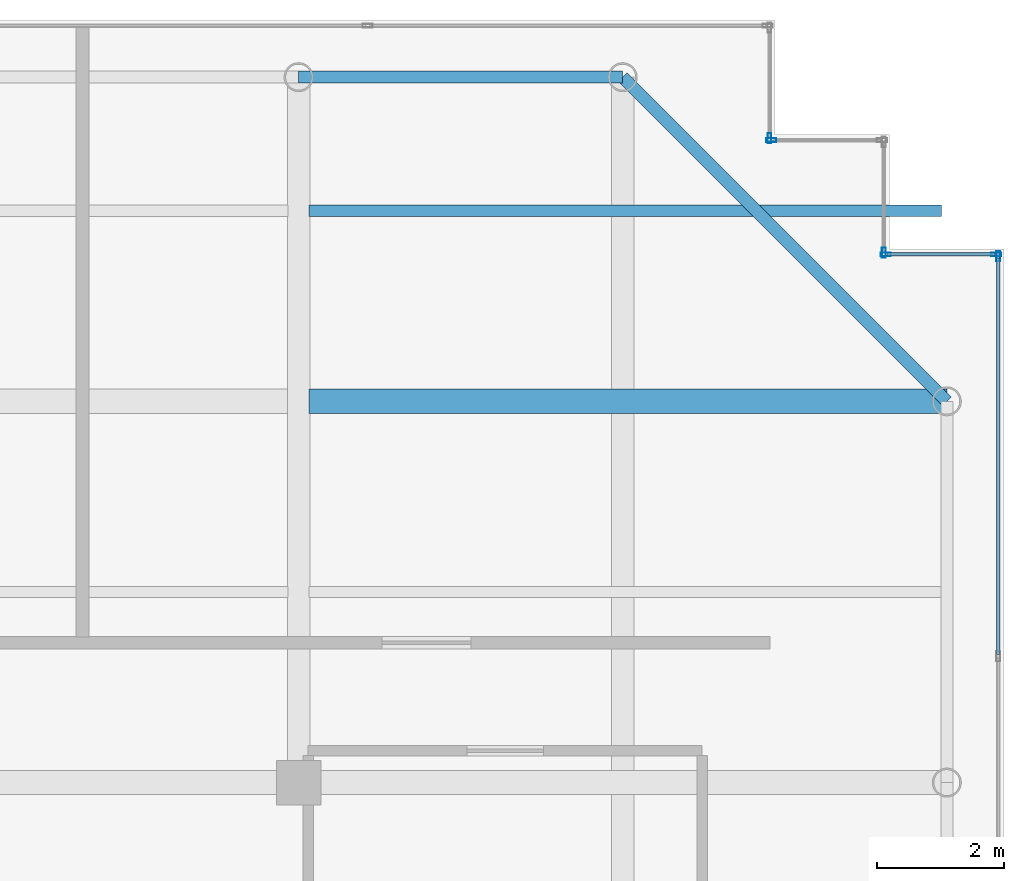
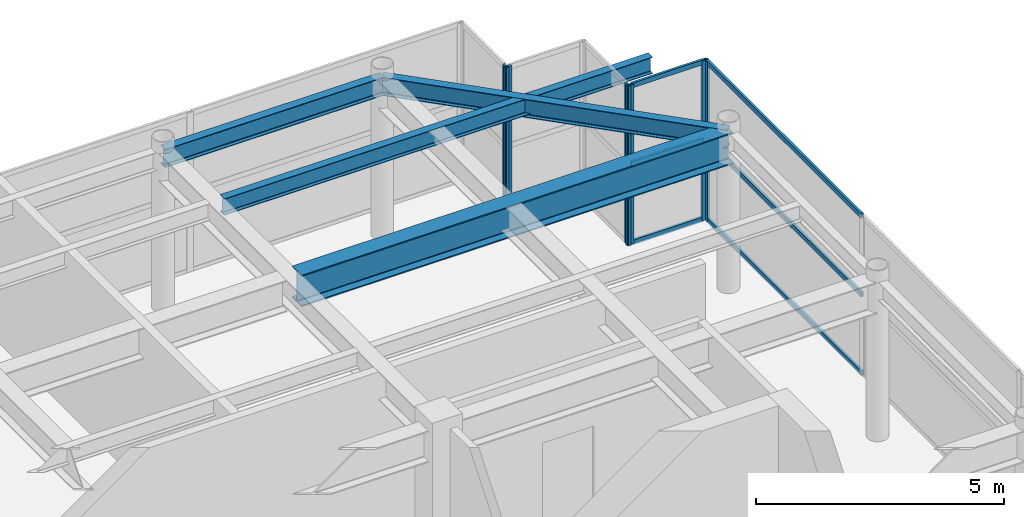
# One storey, part 27 of 32: 12 members, 4 beams, 5 elements without a shape of their own.
"""IFC4 building model written with IfcOpenShell, lengths in metres."""

import ifcopenshell
import ifcopenshell.guid

model = None  # the IFC model being written
_history = None  # IfcOwnerHistory: only IFC2X3 demands one
_inside = {}  # id of a spatial element -> (the spatial element, [elements in it])
_under = {}  # id of a project, library or spatial element -> (it, [spatial elements below it])
_declared = {}  # id of a project -> (the project, [libraries it declares])
_typed = {}  # id of a type object -> (the type object, [elements of that type])
_made_of = {}  # id of a material, layer set ... -> (it, [elements and type objects made of it])


def new_model(schema):
    """Start an empty IFC model of exactly this schema.

    Asked for "IFC4X3", IfcOpenShell would pick the latest addendum, in which some entities
    have other attributes; the version numbers below select the first issue.
    IFC2X3 requires an IfcOwnerHistory on every rooted entity: one is made here for all.
    """
    global model, _history
    if schema == "IFC4X3":
        model = ifcopenshell.file(schema_version=(4, 3, 0, 0))
    else:
        model = ifcopenshell.file(schema=schema)
    _inside.clear()
    _under.clear()
    _declared.clear()
    _typed.clear()
    _made_of.clear()
    _history = None
    if model.schema == "IFC2X3":
        org = make("IfcOrganization", Name="unknown")
        user = make(
            "IfcPersonAndOrganization",
            ThePerson=make("IfcPerson", FamilyName="unknown"),
            TheOrganization=org,
        )
        app = make(
            "IfcApplication",
            ApplicationDeveloper=org,
            Version="unknown",
            ApplicationFullName="unknown",
            ApplicationIdentifier="unknown",
        )
        _history = make(
            "IfcOwnerHistory",
            OwningUser=user,
            OwningApplication=app,
            ChangeAction="ADDED",
            CreationDate=0,
        )
    return model


def make(cls, **values):
    """One entity of the class cls with the attributes given. An attribute that is None is left unset."""
    return model.create_entity(
        cls, **{name: value for name, value in values.items() if value is not None}
    )


def rooted(cls, **values):
    """An entity with a GlobalId (a new one), such as an element, a storey or a relation."""
    return make(cls, GlobalId=ifcopenshell.guid.new(), OwnerHistory=_history, **values)


def si_unit(unit_type, name, prefix=None):
    """IfcSIUnit, for example si_unit("LENGTHUNIT", "METRE", prefix="MILLI")."""
    return make("IfcSIUnit", UnitType=unit_type, Prefix=prefix, Name=name)


def assignment(units):
    """IfcUnitAssignment: the units of a project."""
    return None if units is None else make("IfcUnitAssignment", Units=units)


def point(xyz):
    """IfcCartesianPoint."""
    return None if xyz is None else make("IfcCartesianPoint", Coordinates=xyz)


def direction(xyz):
    """IfcDirection."""
    return None if xyz is None else make("IfcDirection", DirectionRatios=xyz)


def frame(location, z_axis=None, x_axis=None):
    """IfcAxis2Placement3D, a coordinate frame: its origin and axes. An axis left out is left unset."""
    return make(
        "IfcAxis2Placement3D",
        Location=point(location),
        Axis=direction(z_axis),
        RefDirection=direction(x_axis),
    )


def frame_2d(location, x_axis=None):
    """IfcAxis2Placement2D, a coordinate frame in the plane: its origin and x axis."""
    return make(
        "IfcAxis2Placement2D", Location=point(location), RefDirection=direction(x_axis)
    )


def origin():
    """The frame at (0, 0, 0) with its axes left unset."""
    return frame((0.0, 0.0, 0.0))


def origin_2d():
    """The frame at (0, 0) in the plane with its x axis left unset."""
    return frame_2d((0.0, 0.0))


def place(relative_to, where):
    """IfcLocalPlacement: puts the frame where relative to a parent placement (None: the world)."""
    return make(
        "IfcLocalPlacement", PlacementRelTo=relative_to, RelativePlacement=where
    )


def context(
    kind, dimensions, precision=None, world=None, true_north=None, identifier=None
):
    """IfcGeometricRepresentationContext, for example the 3D "Model" context."""
    return make(
        "IfcGeometricRepresentationContext",
        ContextIdentifier=identifier,
        ContextType=kind,
        CoordinateSpaceDimension=dimensions,
        Precision=precision,
        WorldCoordinateSystem=world,
        TrueNorth=true_north,
    )


def subcontext(parent, identifier, kind, view, scale=None):
    """IfcGeometricRepresentationSubContext, for example "Body" below "Model"."""
    return make(
        "IfcGeometricRepresentationSubContext",
        ContextIdentifier=identifier,
        ContextType=kind,
        ParentContext=parent,
        TargetScale=scale,
        TargetView=view,
    )


def project(units=None, contexts=None):
    """IfcProject with its units and contexts."""
    return rooted(
        "IfcProject",
        Name="project",
        RepresentationContexts=contexts,
        UnitsInContext=assignment(units),
    )


def spatial(cls, under=None, at=None, **own):
    """A site, building, storey or space (cls), placed at a placement, below another one or the project."""
    s = rooted(cls, ObjectPlacement=at, **own)
    if under is not None:
        _under.setdefault(under.id(), (under, []))[1].append(s)
    return s


def profile(cls, at=None, kind="AREA", **sizes):
    """A parametric profile (cls). Its sizes go by their IFC names, for example OverallWidth=200.0."""
    return make(cls, ProfileType=kind, Position=at, **sizes)


def hollow_rectangle(**sizes):
    """IfcRectangleHollowProfileDef."""
    return profile("IfcRectangleHollowProfileDef", **sizes)


def i_section(**sizes):
    """IfcIShapeProfileDef."""
    return profile("IfcIShapeProfileDef", **sizes)


def extrude(swept, where, along, depth):
    """IfcExtrudedAreaSolid: the profile swept, set in the frame where, extruded along a direction by depth."""
    return make(
        "IfcExtrudedAreaSolid",
        SweptArea=swept,
        Position=where,
        ExtrudedDirection=direction(along),
        Depth=depth,
    )


def shape(context_of_items, identifier, shape_type, items):
    """IfcShapeRepresentation: the items that make up one representation, for example the "Body"."""
    return make(
        "IfcShapeRepresentation",
        ContextOfItems=context_of_items,
        RepresentationIdentifier=identifier,
        RepresentationType=shape_type,
        Items=items,
    )


def source(mapping_origin, context_of_items, identifier, shape_type, items):
    """IfcRepresentationMap: a shape defined once, which mapped items show again and again."""
    return make(
        "IfcRepresentationMap",
        MappingOrigin=mapping_origin,
        MappedRepresentation=shape(context_of_items, identifier, shape_type, items),
    )


def transform(
    local_origin,
    x_axis=None,
    y_axis=None,
    z_axis=None,
    scale=None,
    scale2=None,
    scale3=None,
    uniform=True,
):
    """IfcCartesianTransformationOperator3D, or its non-uniform kind. x_axis, y_axis, z_axis: its Axis1, 2, 3."""
    if uniform:
        return make(
            "IfcCartesianTransformationOperator3D",
            Axis1=direction(x_axis),
            Axis2=direction(y_axis),
            LocalOrigin=point(local_origin),
            Scale=scale,
            Axis3=direction(z_axis),
        )
    return make(
        "IfcCartesianTransformationOperator3DnonUniform",
        Axis1=direction(x_axis),
        Axis2=direction(y_axis),
        LocalOrigin=point(local_origin),
        Scale=scale,
        Axis3=direction(z_axis),
        Scale2=scale2,
        Scale3=scale3,
    )


def mapped(mapping_source, mapping_target):
    """IfcMappedItem: shows the shape of a source again, moved by a transform."""
    return make(
        "IfcMappedItem", MappingSource=mapping_source, MappingTarget=mapping_target
    )


def material(Name=None, Category=None):
    """IfcMaterial."""
    return make("IfcMaterial", Name=Name, Category=Category)


def layer(
    of_material, thickness, ventilated=None, Name=None, Category=None, Priority=None
):
    """IfcMaterialLayer: one layer of a wall or slab, of a material (None: an air gap)."""
    return make(
        "IfcMaterialLayer",
        Material=of_material,
        LayerThickness=thickness,
        IsVentilated=ventilated,
        Name=Name,
        Category=Category,
        Priority=Priority,
    )


def layer_set(layers, Name=None):
    """IfcMaterialLayerSet."""
    return make("IfcMaterialLayerSet", MaterialLayers=layers, LayerSetName=Name)


def material_profile(
    of_material, cross_section, Name=None, Category=None, Priority=None
):
    """IfcMaterialProfile: a cross section and its material."""
    return make(
        "IfcMaterialProfile",
        Name=Name,
        Material=of_material,
        Profile=cross_section,
        Priority=Priority,
        Category=Category,
    )


def profile_set(profiles, Name=None, composite=None):
    """IfcMaterialProfileSet."""
    return make(
        "IfcMaterialProfileSet",
        Name=Name,
        MaterialProfiles=profiles,
        CompositeProfile=composite,
    )


def made_of(thing, what):
    """Note that an element or type object is made of a material, layer set ...; save() writes the relation."""
    if what is not None:
        _made_of.setdefault(what.id(), (what, []))[1].append(thing)
    return thing


def type_object(cls, material=None, **own):
    """A type object (cls), such as IfcWallType, which elements share."""
    return made_of(rooted(cls, **own), material)


def element(
    cls,
    number,
    at=None,
    inside=None,
    cuts=None,
    type_object=None,
    material=None,
    context=None,
    identifier="Body",
    shape_type=None,
    held_by="IfcProductDefinitionShape",
    body=None,
    shapes=None,
    **own,
):
    """One element of the class cls, such as IfcWall. Its Tag is "e" and its number.

    at: its placement. inside: the storey or other place that contains it. cuts: it is an
    opening in that element (IfcRelVoidsElement). A single representation is given by context,
    identifier, shape_type and body (its items); several are given by shapes. held_by: the class
    of the entity that holds the representations. save() writes the other relations.
    """
    e = rooted(cls, Tag="e%d" % number, ObjectPlacement=at, **own)
    if body is not None:
        shapes = [shape(context, identifier, shape_type, body)]
    if shapes is not None:
        e.Representation = make(held_by, Representations=shapes)
    if inside is not None:
        _inside.setdefault(inside.id(), (inside, []))[1].append(e)
    if cuts is not None:
        rooted(
            "IfcRelVoidsElement", RelatingBuildingElement=cuts, RelatedOpeningElement=e
        )
    if type_object is not None:
        _typed.setdefault(type_object.id(), (type_object, []))[1].append(e)
    return made_of(e, material)


def aggregate(whole, parts):
    """IfcRelAggregates: a whole, such as a stair, and the parts it consists of."""
    return rooted("IfcRelAggregates", RelatingObject=whole, RelatedObjects=parts)


def save(model, path):
    """Write the relations noted so far, then the file.

    IfcRelAggregates (storeys below a building ...), IfcRelContainedInSpatialStructure (elements
    in a storey), IfcRelDefinesByType, IfcRelAssociatesMaterial and IfcRelDeclares: one each for
    every whole, place, type object, material and project.
    """
    for whole, parts in _under.values():
        aggregate(whole, parts)
    for where, things in _inside.values():
        rooted(
            "IfcRelContainedInSpatialStructure",
            RelatedElements=things,
            RelatingStructure=where,
        )
    for kind, things in _typed.values():
        rooted("IfcRelDefinesByType", RelatedObjects=things, RelatingType=kind)
    for what, things in _made_of.values():
        rooted("IfcRelAssociatesMaterial", RelatedObjects=things, RelatingMaterial=what)
    for by, libraries in _declared.values():
        rooted("IfcRelDeclares", RelatingContext=by, RelatedDefinitions=libraries)
    model.write(path)


model = new_model("IFC4")

# Units and contexts
model_context = context("Model", 3, precision=1e-05, world=origin(), true_north=direction((0.0, 1.0)))
body_context = subcontext(model_context, "Body", "Model", "MODEL_VIEW")
ifc_project = project(units=[si_unit("LENGTHUNIT", "METRE"), si_unit("AREAUNIT", "SQUARE_METRE"), si_unit("VOLUMEUNIT", "CUBIC_METRE"), si_unit("PLANEANGLEUNIT", "RADIAN"), si_unit("MASSUNIT", "GRAM", prefix="KILO")], contexts=[model_context])

# Site, building, storey
site_placement = place(None, origin())
site = spatial("IfcSite", under=ifc_project, at=site_placement, CompositionType="ELEMENT")
building_placement = place(site_placement, origin())
building = spatial("IfcBuilding", under=site, at=building_placement, Name="Khoralis Quay Care Tower", CompositionType="ELEMENT")
storey_placement = place(building_placement, frame((0.0, 0.0, 310.5)))
storey = spatial("IfcBuildingStorey", under=building, at=storey_placement, Name="L81", CompositionType="ELEMENT", Elevation=310.5)

# Beams
ifc_material_1 = material(Name="Steel S355", Category="steel")
ifc_material_profile_1 = material_profile(ifc_material_1, i_section(OverallWidth=0.18994140625, OverallDepth=0.449951171875, WebThickness=0.009521484375, FlangeThickness=0.0146484375, FilletRadius=0.02099609375, at=origin_2d()), Name="Steel S355")
ifc_profile_set_1 = profile_set([ifc_material_profile_1], Name="Steel S355")
beam_type_1 = type_object("IfcBeamType", Name="BM-IPE450", PredefinedType="SPANDREL", material=ifc_profile_set_1)
shared_shape_1 = source(origin(), body_context, "Body", "SweptSolid", [
    extrude(i_section(OverallWidth=0.18994140625, OverallDepth=0.449951171875, WebThickness=0.009521484375, FlangeThickness=0.0146484375, FilletRadius=0.02099609375, at=origin_2d()), origin(), (0.0, 0.0, 1.0), 5.10009765625),
])
beam_1_placement = place(storey_placement, frame((30.89990234375, 41.10009765625, 3.695068359375), z_axis=(1.0, 0.0, 0.0), x_axis=(0.0, 1.0, 0.0)))
element("IfcBeam", 1, at=beam_1_placement, inside=storey, type_object=beam_type_1, Name="BM-TSP-L81-08", PredefinedType="SPANDREL", context=body_context, shape_type="MappedRepresentation", body=[
    mapped(shared_shape_1, transform((0.0, 0.0, 0.0), scale=1.0)),
])
shared_shape_2 = source(origin(), body_context, "Body", "SweptSolid", [
    extrude(i_section(OverallWidth=0.18994140625, OverallDepth=0.449951171875, WebThickness=0.009521484375, FlangeThickness=0.0146484375, FilletRadius=0.02099609375, at=origin_2d()), origin(), (0.0, 0.0, 1.0), 7.212646484375),
])
beam_2_placement = place(storey_placement, frame((36.0, 41.10009765625, 3.695068359375), z_axis=(0.707106781187, -0.707106781187, 0.0), x_axis=(0.707106781187, 0.707106781187, 0.0)))
element("IfcBeam", 2, at=beam_2_placement, inside=storey, type_object=beam_type_1, Name="BM-TCR-L81-20", PredefinedType="SPANDREL", context=body_context, shape_type="MappedRepresentation", body=[
    mapped(shared_shape_2, transform((0.0, 0.0, 0.0), scale=1.0)),
])
ifc_material_profile_2 = material_profile(ifc_material_1, i_section(OverallWidth=0.381103515625, OverallDepth=0.77294921875, WebThickness=0.0166015625, FlangeThickness=0.027587890625, FilletRadius=0.02197265625, at=origin_2d()), Name="Steel S355")
ifc_profile_set_2 = profile_set([ifc_material_profile_2], Name="Steel S355")
beam_type_2 = type_object("IfcBeamType", Name="BM-W760X257", PredefinedType="BEAM", material=ifc_profile_set_2)
shared_shape_3 = source(origin(), body_context, "Body", "SweptSolid", [
    extrude(i_section(OverallWidth=0.381103515625, OverallDepth=0.77294921875, WebThickness=0.0166015625, FlangeThickness=0.027587890625, FilletRadius=0.02197265625, at=origin_2d()), origin(), (0.0, 0.0, 1.0), 10.03466796875),
])
beam_3_placement = place(storey_placement, frame((31.0654296875, 36.0, 3.533447265625), z_axis=(1.0, 0.0, 0.0), x_axis=(0.0, 1.0, 0.0)))
element("IfcBeam", 3, at=beam_3_placement, inside=storey, type_object=beam_type_2, Name="BM-TGXE-L81-360", PredefinedType="BEAM", context=body_context, shape_type="MappedRepresentation", body=[
    mapped(shared_shape_3, transform((0.0, 0.0, 0.0), scale=1.0)),
])
ifc_material_profile_3 = material_profile(ifc_material_1, i_section(OverallWidth=0.177978515625, OverallDepth=0.406982421875, WebThickness=0.0078125, FlangeThickness=0.0126953125, FilletRadius=0.012939453125, at=origin_2d()), Name="Steel S355")
ifc_profile_set_3 = profile_set([ifc_material_profile_3], Name="Steel S355")
beam_type_3 = type_object("IfcBeamType", Name="BM-W410X60", PredefinedType="JOIST", material=ifc_profile_set_3)
shared_shape_4 = source(origin(), body_context, "Body", "SweptSolid", [
    extrude(i_section(OverallWidth=0.177978515625, OverallDepth=0.406982421875, WebThickness=0.0078125, FlangeThickness=0.0126953125, FilletRadius=0.012939453125, at=origin_2d()), origin(), (0.0, 0.0, 1.0), 9.95361328125),
])
beam_4_placement = place(storey_placement, frame((31.0654296875, 39.0, 3.716552734375), z_axis=(1.0, 0.0, 0.0), x_axis=(0.0, 1.0, 0.0)))
element("IfcBeam", 4, at=beam_4_placement, inside=storey, type_object=beam_type_3, Name="BM-TJS-L81-28", PredefinedType="JOIST", context=body_context, shape_type="MappedRepresentation", body=[
    mapped(shared_shape_4, transform((0.0, 0.0, 0.0), scale=1.0)),
])

# Curtain wall, members
ifc_material_2 = material(Name="Pale anodised aluminium", Category="aluminium")
ifc_layer = layer(ifc_material_2, 0.199951171875)
ifc_layer_set = layer_set([ifc_layer], Name="Pale anodised aluminium")
curtain_wall_type = type_object("IfcCurtainWallType", Name="CW-SYS-LANTERN", PredefinedType="NOTDEFINED", material=ifc_layer_set)
curtain_wall_1_placement = place(storey_placement, origin())
curtain_wall_1 = element("IfcCurtainWall", 5, at=curtain_wall_1_placement, inside=storey, type_object=curtain_wall_type, Name="L81 Unitised Curtain Wall CW-LN-L81-06", PredefinedType="NOTDEFINED")
ifc_material_profile_4 = material_profile(ifc_material_2, hollow_rectangle(XDim=0.054931640625, YDim=0.1201171875, WallThickness=0.00390625, at=origin_2d()), Name="Pale anodised aluminium")
ifc_profile_set_4 = profile_set([ifc_material_profile_4], Name="Pale anodised aluminium")
member_type_1 = type_object("IfcMemberType", Name="CW-TRN-120", PredefinedType="USERDEFINED", material=ifc_profile_set_4)
shared_shape_5 = source(origin(), body_context, "Body", "SweptSolid", [
    extrude(hollow_rectangle(XDim=0.054931640625, YDim=0.1201171875, WallThickness=0.00390625, at=origin_2d()), origin(), (0.0, 0.0, 1.0), 6.23388671875),
])
member_1_placement = place(storey_placement, frame((41.909912109375, 32.01611328125, 0.030029296875), z_axis=(0.0, 1.0, 0.0), x_axis=(-1.0, 0.0, 0.0)))
member_1 = element("IfcMember", 6, at=member_1_placement, type_object=member_type_1, Name="CW5 transom 5.1", ObjectType="TRANSOM", PredefinedType="USERDEFINED", context=body_context, shape_type="MappedRepresentation", body=[
    mapped(shared_shape_5, transform((0.0, 0.0, 0.0), scale=1.0)),
])
member_2_placement = place(storey_placement, frame((41.909912109375, 32.01611328125, 1.9599609375), z_axis=(0.0, 1.0, 0.0), x_axis=(-1.0, 0.0, 0.0)))
member_2 = element("IfcMember", 7, at=member_2_placement, type_object=member_type_1, Name="CW5 transom 5.2", ObjectType="TRANSOM", PredefinedType="USERDEFINED", context=body_context, shape_type="MappedRepresentation", body=[
    mapped(shared_shape_5, transform((0.0, 0.0, 0.0), scale=1.0)),
])
member_3_placement = place(storey_placement, frame((41.909912109375, 32.01611328125, 3.889892578125), z_axis=(0.0, 1.0, 0.0), x_axis=(-1.0, 0.0, 0.0)))
member_3 = element("IfcMember", 8, at=member_3_placement, type_object=member_type_1, Name="CW5 transom 5.3", ObjectType="TRANSOM", PredefinedType="USERDEFINED", context=body_context, shape_type="MappedRepresentation", body=[
    mapped(shared_shape_5, transform((0.0, 0.0, 0.0), scale=1.0)),
])

curtain_wall_2_placement = place(storey_placement, origin())
curtain_wall_2 = element("IfcCurtainWall", 9, at=curtain_wall_2_placement, inside=storey, type_object=curtain_wall_type, Name="L81 Unitised Curtain Wall CW-LN-L81-07", PredefinedType="NOTDEFINED")
shared_shape_6 = source(origin(), body_context, "Body", "SweptSolid", [
    extrude(hollow_rectangle(XDim=0.054931640625, YDim=0.1201171875, WallThickness=0.00390625, at=origin_2d()), origin(), (0.0, 0.0, 1.0), 1.68017578125),
])
member_4_placement = place(storey_placement, frame((41.85009765625, 38.31005859375, 0.030029296875), z_axis=(-1.0, 0.0, 0.0), x_axis=(0.0, -1.0, 0.0)))
member_4 = element("IfcMember", 10, at=member_4_placement, type_object=member_type_1, Name="CW5 transom 1.1", ObjectType="TRANSOM", PredefinedType="USERDEFINED", context=body_context, shape_type="MappedRepresentation", body=[
    mapped(shared_shape_6, transform((0.0, 0.0, 0.0), scale=1.0)),
])
member_5_placement = place(storey_placement, frame((41.85009765625, 38.31005859375, 1.9599609375), z_axis=(-1.0, 0.0, 0.0), x_axis=(0.0, -1.0, 0.0)))
member_5 = element("IfcMember", 11, at=member_5_placement, type_object=member_type_1, Name="CW5 transom 1.2", ObjectType="TRANSOM", PredefinedType="USERDEFINED", context=body_context, shape_type="MappedRepresentation", body=[
    mapped(shared_shape_6, transform((0.0, 0.0, 0.0), scale=1.0)),
])
member_6_placement = place(storey_placement, frame((41.85009765625, 38.31005859375, 3.889892578125), z_axis=(-1.0, 0.0, 0.0), x_axis=(0.0, -1.0, 0.0)))
member_6 = element("IfcMember", 12, at=member_6_placement, type_object=member_type_1, Name="CW5 transom 1.3", ObjectType="TRANSOM", PredefinedType="USERDEFINED", context=body_context, shape_type="MappedRepresentation", body=[
    mapped(shared_shape_6, transform((0.0, 0.0, 0.0), scale=1.0)),
])

# Member
ifc_material_profile_5 = material_profile(ifc_material_2, hollow_rectangle(XDim=0.06005859375, YDim=0.159912109375, WallThickness=0.00390625, at=origin_2d()), Name="Pale anodised aluminium")
ifc_profile_set_5 = profile_set([ifc_material_profile_5], Name="Pale anodised aluminium")
member_type_2 = type_object("IfcMemberType", Name="CW-MUL-160", PredefinedType="MULLION", material=ifc_profile_set_5)
shared_shape_7 = source(origin(), body_context, "Body", "SweptSolid", [
    extrude(hollow_rectangle(XDim=0.06005859375, YDim=0.159912109375, WallThickness=0.00390625, at=origin_2d()), origin(), (0.0, 0.0, 1.0), 3.919921875),
])
member_7_placement = place(storey_placement, frame((41.909912109375, 38.280029296875, 0.0), z_axis=(0.0, 0.0, 1.0), x_axis=(-1.0, 0.0, 0.0)))
member_7 = element("IfcMember", 13, at=member_7_placement, type_object=member_type_2, Name="CW5 mullion 6", PredefinedType="MULLION", context=body_context, shape_type="MappedRepresentation", body=[
    mapped(shared_shape_7, transform((0.0, 0.0, 0.0), scale=1.0)),
])

aggregate(curtain_wall_1, [member_7, member_1, member_2, member_3])

member_8_placement = place(storey_placement, frame((41.8798828125, 38.31005859375, 0.0), z_axis=(0.0, 0.0, 1.0), x_axis=(0.0, -1.0, 0.0)))
member_8 = element("IfcMember", 14, at=member_8_placement, type_object=member_type_2, Name="CW5 mullion 1", PredefinedType="MULLION", context=body_context, shape_type="MappedRepresentation", body=[
    mapped(shared_shape_7, transform((0.0, 0.0, 0.0), scale=1.0)),
])

member_9_placement = place(storey_placement, frame((40.139892578125, 38.31005859375, 0.0), z_axis=(0.0, 0.0, 1.0), x_axis=(0.0, -1.0, 0.0)))
member_9 = element("IfcMember", 15, at=member_9_placement, type_object=member_type_2, Name="CW5 mullion 2", PredefinedType="MULLION", context=body_context, shape_type="MappedRepresentation", body=[
    mapped(shared_shape_7, transform((0.0, 0.0, 0.0), scale=1.0)),
])

aggregate(curtain_wall_2, [member_8, member_9, member_4, member_5, member_6])

# Curtain wall, member
curtain_wall_3_placement = place(storey_placement, origin())
curtain_wall_3 = element("IfcCurtainWall", 16, at=curtain_wall_3_placement, inside=storey, type_object=curtain_wall_type, Name="L81 Unitised Curtain Wall CW-LN-L81-08", PredefinedType="NOTDEFINED")
member_10_placement = place(storey_placement, frame((40.110107421875, 38.340087890625, 0.0), z_axis=(0.0, 0.0, 1.0), x_axis=(-1.0, 0.0, 0.0)))
member_10 = element("IfcMember", 17, at=member_10_placement, type_object=member_type_2, Name="CW5 mullion 1", PredefinedType="MULLION", context=body_context, shape_type="MappedRepresentation", body=[
    mapped(shared_shape_7, transform((0.0, 0.0, 0.0), scale=1.0)),
])
aggregate(curtain_wall_3, [member_10])

curtain_wall_4_placement = place(storey_placement, origin())
curtain_wall_4 = element("IfcCurtainWall", 18, at=curtain_wall_4_placement, inside=storey, type_object=curtain_wall_type, Name="L81 Unitised Curtain Wall CW-LN-L81-09", PredefinedType="NOTDEFINED")
member_11_placement = place(storey_placement, frame((38.340087890625, 40.110107421875, 0.0), z_axis=(0.0, 0.0, 1.0), x_axis=(0.0, -1.0, 0.0)))
member_11 = element("IfcMember", 19, at=member_11_placement, type_object=member_type_2, Name="CW5 mullion 2", PredefinedType="MULLION", context=body_context, shape_type="MappedRepresentation", body=[
    mapped(shared_shape_7, transform((0.0, 0.0, 0.0), scale=1.0)),
])
aggregate(curtain_wall_4, [member_11])

curtain_wall_5_placement = place(storey_placement, origin())
curtain_wall_5 = element("IfcCurtainWall", 20, at=curtain_wall_5_placement, inside=storey, type_object=curtain_wall_type, Name="L81 Unitised Curtain Wall CW-LN-L81-10", PredefinedType="NOTDEFINED")
member_12_placement = place(storey_placement, frame((38.31005859375, 40.139892578125, 0.0), z_axis=(0.0, 0.0, 1.0), x_axis=(-1.0, 0.0, 0.0)))
member_12 = element("IfcMember", 21, at=member_12_placement, type_object=member_type_2, Name="CW5 mullion 1", PredefinedType="MULLION", context=body_context, shape_type="MappedRepresentation", body=[
    mapped(shared_shape_7, transform((0.0, 0.0, 0.0), scale=1.0)),
])
aggregate(curtain_wall_5, [member_12])

save(model, "model.ifc")
